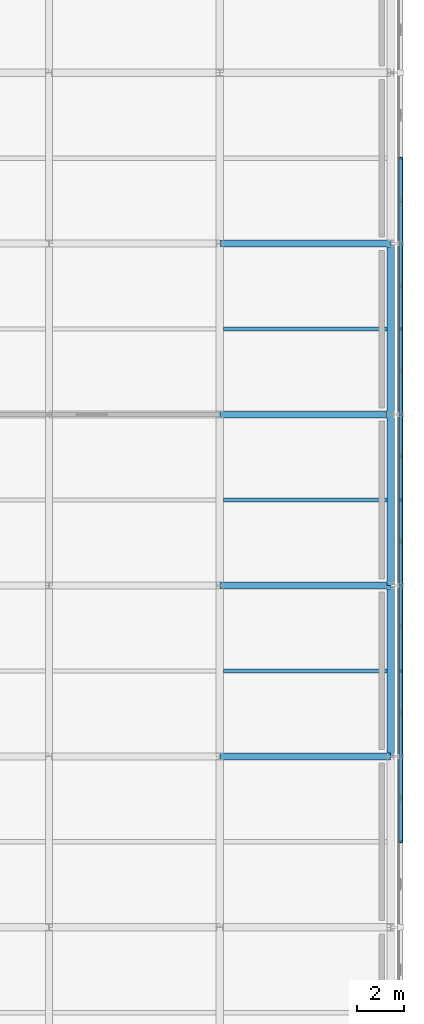
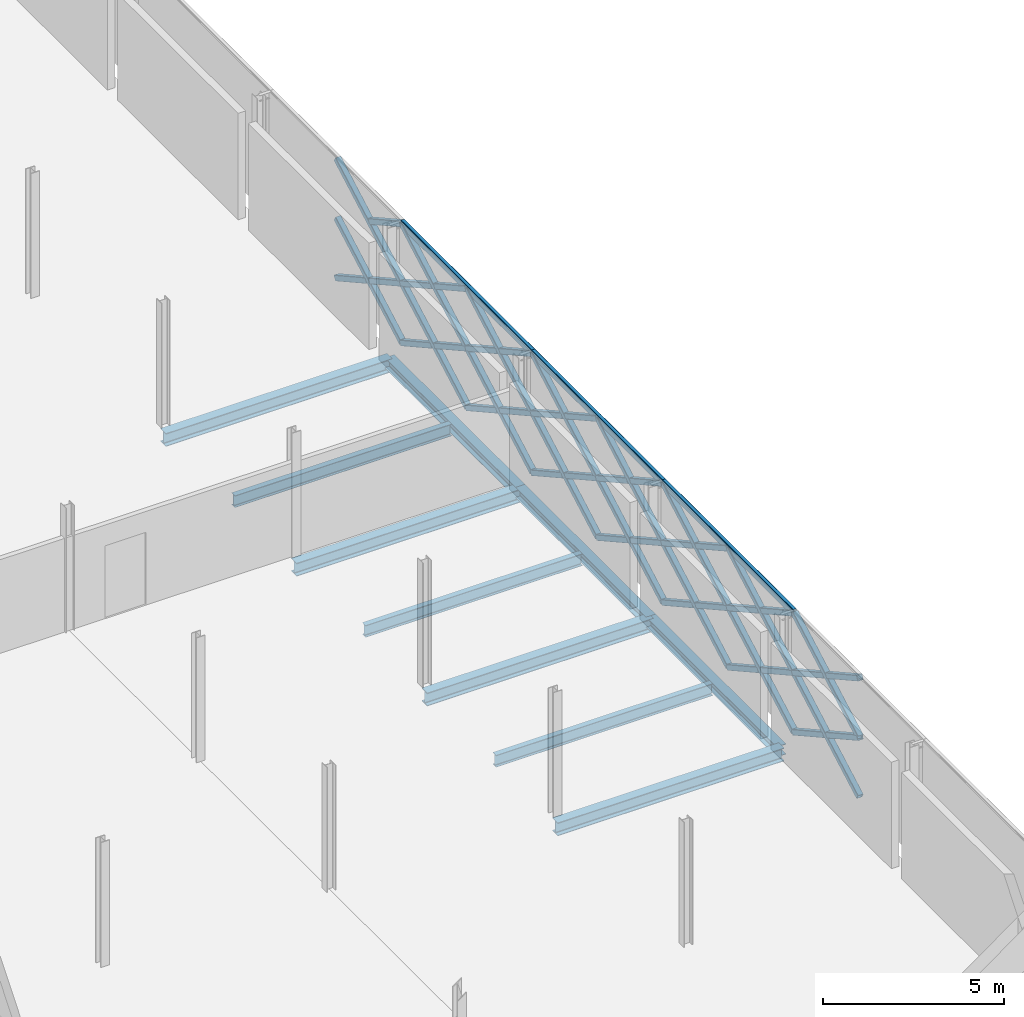
# One storey, part 72 of 146: 50 members, 10 beams.
"""IFC4 building model written with IfcOpenShell, lengths in metres."""

from ifc_helpers import new_model, si_unit, direction, frame, origin, origin_2d, place, context, subcontext, project, spatial, hollow_rectangle, i_section, extrude, material, material_profile, profile_set, type_object, element, save


model = new_model("IFC4")

# Units and contexts
model_context = context("Model", 3, precision=1e-05, world=origin(), true_north=direction((0.0, 1.0)))
body_context = subcontext(model_context, "Body", "Model", "MODEL_VIEW")
ifc_project = project(units=[si_unit("LENGTHUNIT", "METRE"), si_unit("AREAUNIT", "SQUARE_METRE"), si_unit("VOLUMEUNIT", "CUBIC_METRE"), si_unit("PLANEANGLEUNIT", "RADIAN"), si_unit("MASSUNIT", "GRAM", prefix="KILO")], contexts=[model_context])

# Site, building, storey
site_placement = place(None, origin())
site = spatial("IfcSite", under=ifc_project, at=site_placement, CompositionType="ELEMENT")
building_placement = place(site_placement, origin())
building = spatial("IfcBuilding", under=site, at=building_placement, Name="Zlatovets Crest Museum", CompositionType="ELEMENT")
storey_placement = place(building_placement, frame((0.0, 0.0, 4.5)))
storey = spatial("IfcBuildingStorey", under=building, at=storey_placement, Name="L01", CompositionType="ELEMENT", Elevation=4.5)

# Beams
ifc_material_1 = material(Name="Structural steel S355J2", Category="steel")
ifc_material_profile_1 = material_profile(ifc_material_1, i_section(OverallWidth=0.300048828125, OverallDepth=0.35009765625, WebThickness=0.010009765625, FlangeThickness=0.017578125, FilletRadius=0.027099609375, at=origin_2d()), Name="HEA 360")
ifc_profile_set_1 = profile_set([ifc_material_profile_1], Name="Structural steel S355J2")
beam_type_1 = type_object("IfcBeamType", Name="Beam_B-03", PredefinedType="BEAM", material=ifc_profile_set_1)
for number, where, z_axis, x_axis, name in (
    (1, (165.60009765625, 28.800048828125, -0.39501953125), (0.0, 1.0, 0.0), (-1.0, 0.0, 0.0), "V5 L01 Grid Beam B-03"),
    (2, (165.60009765625, 36.0, -0.39501953125), (0.0, 1.0, 0.0), (-1.0, 0.0, 0.0), "V5 L01 Grid Beam B-03"),
    (3, (165.60009765625, 43.199951171875, -0.39501953125), (0.0, 1.0, 0.0), (-1.0, 0.0, 0.0), "V5 L01 Grid Beam B-03"),
):
    element("IfcBeam", number, at=place(storey_placement, frame(where, z_axis=z_axis, x_axis=x_axis)), inside=storey, type_object=beam_type_1, Name=name, PredefinedType="BEAM", context=body_context, shape_type="SweptSolid", body=[
        extrude(i_section(OverallWidth=0.300048828125, OverallDepth=0.35009765625, WebThickness=0.010009765625, FlangeThickness=0.017578125, FilletRadius=0.027099609375, at=origin_2d()), origin(), (0.0, 0.0, 1.0), 7.199951171875),
    ])
ifc_material_profile_2 = material_profile(ifc_material_1, i_section(OverallWidth=0.300048828125, OverallDepth=0.43994140625, WebThickness=0.011474609375, FlangeThickness=0.02099609375, FilletRadius=0.027099609375, at=origin_2d()), Name="HEA 450")
ifc_profile_set_2 = profile_set([ifc_material_profile_2], Name="Structural steel S355J2")
beam_type_2 = type_object("IfcBeamType", Name="Beam_B-10", PredefinedType="BEAM", material=ifc_profile_set_2)
for number, where, z_axis, x_axis, name in (
    (4, (158.39990234375, 28.800048828125, -0.43994140625), (1.0, 0.0, 0.0), (0.0, 1.0, 0.0), "V5 L01 Primary Girder B-10"),
    (5, (158.39990234375, 36.0, -0.43994140625), (1.0, 0.0, 0.0), (0.0, 1.0, 0.0), "V5 L01 Primary Girder B-10"),
    (6, (158.39990234375, 43.199951171875, -0.43994140625), (1.0, 0.0, 0.0), (0.0, 1.0, 0.0), "V5 L01 Primary Girder B-10"),
    (7, (158.39990234375, 50.39990234375, -0.43994140625), (1.0, 0.0, 0.0), (0.0, 1.0, 0.0), "V5 L01 Primary Girder B-10"),
):
    element("IfcBeam", number, at=place(storey_placement, frame(where, z_axis=z_axis, x_axis=x_axis)), inside=storey, type_object=beam_type_2, Name=name, PredefinedType="BEAM", context=body_context, shape_type="SweptSolid", body=[
        extrude(i_section(OverallWidth=0.300048828125, OverallDepth=0.43994140625, WebThickness=0.011474609375, FlangeThickness=0.02099609375, FilletRadius=0.027099609375, at=origin_2d()), origin(), (0.0, 0.0, 1.0), 7.2001953125),
    ])
ifc_material_profile_3 = material_profile(ifc_material_1, i_section(OverallWidth=0.179931640625, OverallDepth=0.39990234375, WebThickness=0.008544921875, FlangeThickness=0.013427734375, FilletRadius=0.02099609375, at=origin_2d()), Name="IPE 400")
ifc_profile_set_3 = profile_set([ifc_material_profile_3], Name="Structural steel S355J2")
beam_type_3 = type_object("IfcBeamType", Name="Beam_J-04", PredefinedType="JOIST", material=ifc_profile_set_3)
for number, where, z_axis, x_axis, name in (
    (8, (158.550048828125, 32.39990234375, -0.419921875), (1.0, 0.0, 0.0), (0.0, 1.0, 0.0), "V5 L01 Composite Joist J-04"),
    (9, (158.550048828125, 39.60009765625, -0.419921875), (1.0, 0.0, 0.0), (0.0, 1.0, 0.0), "V5 L01 Composite Joist J-04"),
    (10, (158.550048828125, 46.800048828125, -0.419921875), (1.0, 0.0, 0.0), (0.0, 1.0, 0.0), "V5 L01 Composite Joist J-04"),
):
    element("IfcBeam", number, at=place(storey_placement, frame(where, z_axis=z_axis, x_axis=x_axis)), inside=storey, type_object=beam_type_3, Name=name, PredefinedType="JOIST", context=body_context, shape_type="SweptSolid", body=[
        extrude(i_section(OverallWidth=0.179931640625, OverallDepth=0.39990234375, WebThickness=0.008544921875, FlangeThickness=0.013427734375, FilletRadius=0.02099609375, at=origin_2d()), origin(), (0.0, 0.0, 1.0), 6.89990234375),
    ])

# Members
ifc_material_2 = material(Name="Weathering bronze-steel S355J2W", Category="steel")
ifc_material_profile_4 = material_profile(ifc_material_2, hollow_rectangle(XDim=0.179931640625, YDim=0.179931640625, WallThickness=0.010009765625, InnerFilletRadius=0.010009765625, OuterFilletRadius=0.02001953125, at=origin_2d()), Name="SHS 180x180x10.0")
ifc_profile_set_4 = profile_set([ifc_material_profile_4], Name="Weathering bronze-steel S355J2W")
member_type_1 = type_object("IfcMemberType", Name="Lattice_XL-01", PredefinedType="BRACE", material=ifc_profile_set_4)
member_1_placement = place(storey_placement, frame((166.02001953125, 25.199951171875, 0.10009765625), z_axis=(0.0, 0.874162868644, 0.485632864501), x_axis=(-1.0, 0.0, 0.0)))
element("IfcMember", 11, at=member_1_placement, inside=storey, type_object=member_type_1, Name="Continuous Bronze Lattice Diagonal", PredefinedType="BRACE", context=body_context, shape_type="SweptSolid", body=[
    extrude(hollow_rectangle(XDim=0.179931640625, YDim=0.179931640625, WallThickness=0.010009765625, InnerFilletRadius=0.010009765625, OuterFilletRadius=0.02001953125, at=origin_2d()), origin(), (0.0, 0.0, 1.0), 4.118408203125),
])
member_2_placement = place(storey_placement, frame((166.02001953125, 25.199951171875, 2.10009765625), z_axis=(0.0, 0.874116234569, -0.48571679862), x_axis=(-1.0, 0.0, 0.0)))
element("IfcMember", 12, at=member_2_placement, inside=storey, type_object=member_type_1, Name="Split Crossing Bronze Lattice Diagonal Upper", PredefinedType="BRACE", context=body_context, shape_type="SweptSolid", body=[
    extrude(hollow_rectangle(XDim=0.179931640625, YDim=0.179931640625, WallThickness=0.010009765625, InnerFilletRadius=0.010009765625, OuterFilletRadius=0.02001953125, at=origin_2d()), origin(), (0.0, 0.0, 1.0), 1.96435546875),
])
member_3_placement = place(storey_placement, frame((166.02001953125, 27.0830078125, 1.053955078125), z_axis=(0.0, 0.874169001841, -0.485621824284), x_axis=(-1.0, 0.0, 0.0)))
element("IfcMember", 13, at=member_3_placement, inside=storey, type_object=member_type_1, Name="Split Crossing Bronze Lattice Diagonal Lower", PredefinedType="BRACE", context=body_context, shape_type="SweptSolid", body=[
    extrude(hollow_rectangle(XDim=0.179931640625, YDim=0.179931640625, WallThickness=0.010009765625, InnerFilletRadius=0.010009765625, OuterFilletRadius=0.02001953125, at=origin_2d()), origin(), (0.0, 0.0, 1.0), 1.964111328125),
])
member_4_placement = place(storey_placement, frame((166.02001953125, 25.199951171875, 2.10009765625), z_axis=(0.0, 0.874162868644, 0.485632864501), x_axis=(-1.0, 0.0, 0.0)))
element("IfcMember", 14, at=member_4_placement, inside=storey, type_object=member_type_1, Name="Continuous Bronze Lattice Diagonal", PredefinedType="BRACE", context=body_context, shape_type="SweptSolid", body=[
    extrude(hollow_rectangle(XDim=0.179931640625, YDim=0.179931640625, WallThickness=0.010009765625, InnerFilletRadius=0.010009765625, OuterFilletRadius=0.02001953125, at=origin_2d()), origin(), (0.0, 0.0, 1.0), 4.118408203125),
])
member_5_placement = place(storey_placement, frame((166.02001953125, 25.199951171875, 4.10009765625), z_axis=(0.0, 0.874116234569, -0.48571679862), x_axis=(-1.0, 0.0, 0.0)))
element("IfcMember", 15, at=member_5_placement, inside=storey, type_object=member_type_1, Name="Split Crossing Bronze Lattice Diagonal Upper", PredefinedType="BRACE", context=body_context, shape_type="SweptSolid", body=[
    extrude(hollow_rectangle(XDim=0.179931640625, YDim=0.179931640625, WallThickness=0.010009765625, InnerFilletRadius=0.010009765625, OuterFilletRadius=0.02001953125, at=origin_2d()), origin(), (0.0, 0.0, 1.0), 1.96435546875),
])
member_6_placement = place(storey_placement, frame((166.02001953125, 27.0830078125, 3.053955078125), z_axis=(0.0, 0.874169001841, -0.485621824284), x_axis=(-1.0, 0.0, 0.0)))
element("IfcMember", 16, at=member_6_placement, inside=storey, type_object=member_type_1, Name="Split Crossing Bronze Lattice Diagonal Lower", PredefinedType="BRACE", context=body_context, shape_type="SweptSolid", body=[
    extrude(hollow_rectangle(XDim=0.179931640625, YDim=0.179931640625, WallThickness=0.010009765625, InnerFilletRadius=0.010009765625, OuterFilletRadius=0.02001953125, at=origin_2d()), origin(), (0.0, 0.0, 1.0), 1.964111328125),
])
member_7_placement = place(storey_placement, frame((166.02001953125, 28.800048828125, 0.10009765625), z_axis=(0.0, 0.874148886685, 0.485658031857), x_axis=(-1.0, 0.0, 0.0)))
element("IfcMember", 17, at=member_7_placement, inside=storey, type_object=member_type_1, Name="Continuous Bronze Lattice Diagonal", PredefinedType="BRACE", context=body_context, shape_type="SweptSolid", body=[
    extrude(hollow_rectangle(XDim=0.179931640625, YDim=0.179931640625, WallThickness=0.010009765625, InnerFilletRadius=0.010009765625, OuterFilletRadius=0.02001953125, at=origin_2d()), origin(), (0.0, 0.0, 1.0), 4.1181640625),
])
member_8_placement = place(storey_placement, frame((166.02001953125, 28.800048828125, 2.10009765625), z_axis=(0.0, 0.874116234569, -0.48571679862), x_axis=(-1.0, 0.0, 0.0)))
element("IfcMember", 18, at=member_8_placement, inside=storey, type_object=member_type_1, Name="Split Crossing Bronze Lattice Diagonal Upper", PredefinedType="BRACE", context=body_context, shape_type="SweptSolid", body=[
    extrude(hollow_rectangle(XDim=0.179931640625, YDim=0.179931640625, WallThickness=0.010009765625, InnerFilletRadius=0.010009765625, OuterFilletRadius=0.02001953125, at=origin_2d()), origin(), (0.0, 0.0, 1.0), 1.96435546875),
])
member_9_placement = place(storey_placement, frame((166.02001953125, 30.68310546875, 1.053955078125), z_axis=(0.0, 0.874139684676, -0.48567459443), x_axis=(-1.0, 0.0, 0.0)))
element("IfcMember", 19, at=member_9_placement, inside=storey, type_object=member_type_1, Name="Split Crossing Bronze Lattice Diagonal Lower", PredefinedType="BRACE", context=body_context, shape_type="SweptSolid", body=[
    extrude(hollow_rectangle(XDim=0.179931640625, YDim=0.179931640625, WallThickness=0.010009765625, InnerFilletRadius=0.010009765625, OuterFilletRadius=0.02001953125, at=origin_2d()), origin(), (0.0, 0.0, 1.0), 1.9638671875),
])
member_10_placement = place(storey_placement, frame((166.02001953125, 32.39990234375, 0.10009765625), z_axis=(0.0, 0.874162868644, 0.485632864501), x_axis=(-1.0, 0.0, 0.0)))
element("IfcMember", 20, at=member_10_placement, inside=storey, type_object=member_type_1, Name="Continuous Bronze Lattice Diagonal", PredefinedType="BRACE", context=body_context, shape_type="SweptSolid", body=[
    extrude(hollow_rectangle(XDim=0.179931640625, YDim=0.179931640625, WallThickness=0.010009765625, InnerFilletRadius=0.010009765625, OuterFilletRadius=0.02001953125, at=origin_2d()), origin(), (0.0, 0.0, 1.0), 4.118408203125),
])
member_11_placement = place(storey_placement, frame((166.02001953125, 32.39990234375, 2.10009765625), z_axis=(0.0, 0.874116234569, -0.48571679862), x_axis=(-1.0, 0.0, 0.0)))
element("IfcMember", 21, at=member_11_placement, inside=storey, type_object=member_type_1, Name="Split Crossing Bronze Lattice Diagonal Upper", PredefinedType="BRACE", context=body_context, shape_type="SweptSolid", body=[
    extrude(hollow_rectangle(XDim=0.179931640625, YDim=0.179931640625, WallThickness=0.010009765625, InnerFilletRadius=0.010009765625, OuterFilletRadius=0.02001953125, at=origin_2d()), origin(), (0.0, 0.0, 1.0), 1.96435546875),
])
member_12_placement = place(storey_placement, frame((166.02001953125, 34.282958984375, 1.053955078125), z_axis=(0.0, 0.874169001841, -0.485621824284), x_axis=(-1.0, 0.0, 0.0)))
element("IfcMember", 22, at=member_12_placement, inside=storey, type_object=member_type_1, Name="Split Crossing Bronze Lattice Diagonal Lower", PredefinedType="BRACE", context=body_context, shape_type="SweptSolid", body=[
    extrude(hollow_rectangle(XDim=0.179931640625, YDim=0.179931640625, WallThickness=0.010009765625, InnerFilletRadius=0.010009765625, OuterFilletRadius=0.02001953125, at=origin_2d()), origin(), (0.0, 0.0, 1.0), 1.964111328125),
])
member_13_placement = place(storey_placement, frame((166.02001953125, 28.800048828125, 2.10009765625), z_axis=(0.0, 0.874148886685, 0.485658031857), x_axis=(-1.0, 0.0, 0.0)))
element("IfcMember", 23, at=member_13_placement, inside=storey, type_object=member_type_1, Name="Continuous Bronze Lattice Diagonal", PredefinedType="BRACE", context=body_context, shape_type="SweptSolid", body=[
    extrude(hollow_rectangle(XDim=0.179931640625, YDim=0.179931640625, WallThickness=0.010009765625, InnerFilletRadius=0.010009765625, OuterFilletRadius=0.02001953125, at=origin_2d()), origin(), (0.0, 0.0, 1.0), 4.1181640625),
])
member_14_placement = place(storey_placement, frame((166.02001953125, 28.800048828125, 4.10009765625), z_axis=(0.0, 0.874116234569, -0.48571679862), x_axis=(-1.0, 0.0, 0.0)))
element("IfcMember", 24, at=member_14_placement, inside=storey, type_object=member_type_1, Name="Split Crossing Bronze Lattice Diagonal Upper", PredefinedType="BRACE", context=body_context, shape_type="SweptSolid", body=[
    extrude(hollow_rectangle(XDim=0.179931640625, YDim=0.179931640625, WallThickness=0.010009765625, InnerFilletRadius=0.010009765625, OuterFilletRadius=0.02001953125, at=origin_2d()), origin(), (0.0, 0.0, 1.0), 1.96435546875),
])
member_15_placement = place(storey_placement, frame((166.02001953125, 30.68310546875, 3.053955078125), z_axis=(0.0, 0.874139684676, -0.48567459443), x_axis=(-1.0, 0.0, 0.0)))
element("IfcMember", 25, at=member_15_placement, inside=storey, type_object=member_type_1, Name="Split Crossing Bronze Lattice Diagonal Lower", PredefinedType="BRACE", context=body_context, shape_type="SweptSolid", body=[
    extrude(hollow_rectangle(XDim=0.179931640625, YDim=0.179931640625, WallThickness=0.010009765625, InnerFilletRadius=0.010009765625, OuterFilletRadius=0.02001953125, at=origin_2d()), origin(), (0.0, 0.0, 1.0), 1.9638671875),
])
member_16_placement = place(storey_placement, frame((166.02001953125, 32.39990234375, 2.10009765625), z_axis=(0.0, 0.874162868644, 0.485632864501), x_axis=(-1.0, 0.0, 0.0)))
element("IfcMember", 26, at=member_16_placement, inside=storey, type_object=member_type_1, Name="Continuous Bronze Lattice Diagonal", PredefinedType="BRACE", context=body_context, shape_type="SweptSolid", body=[
    extrude(hollow_rectangle(XDim=0.179931640625, YDim=0.179931640625, WallThickness=0.010009765625, InnerFilletRadius=0.010009765625, OuterFilletRadius=0.02001953125, at=origin_2d()), origin(), (0.0, 0.0, 1.0), 4.118408203125),
])
member_17_placement = place(storey_placement, frame((166.02001953125, 32.39990234375, 4.10009765625), z_axis=(0.0, 0.874116234569, -0.48571679862), x_axis=(-1.0, 0.0, 0.0)))
element("IfcMember", 27, at=member_17_placement, inside=storey, type_object=member_type_1, Name="Split Crossing Bronze Lattice Diagonal Upper", PredefinedType="BRACE", context=body_context, shape_type="SweptSolid", body=[
    extrude(hollow_rectangle(XDim=0.179931640625, YDim=0.179931640625, WallThickness=0.010009765625, InnerFilletRadius=0.010009765625, OuterFilletRadius=0.02001953125, at=origin_2d()), origin(), (0.0, 0.0, 1.0), 1.96435546875),
])
member_18_placement = place(storey_placement, frame((166.02001953125, 34.282958984375, 3.053955078125), z_axis=(0.0, 0.874169001841, -0.485621824284), x_axis=(-1.0, 0.0, 0.0)))
element("IfcMember", 28, at=member_18_placement, inside=storey, type_object=member_type_1, Name="Split Crossing Bronze Lattice Diagonal Lower", PredefinedType="BRACE", context=body_context, shape_type="SweptSolid", body=[
    extrude(hollow_rectangle(XDim=0.179931640625, YDim=0.179931640625, WallThickness=0.010009765625, InnerFilletRadius=0.010009765625, OuterFilletRadius=0.02001953125, at=origin_2d()), origin(), (0.0, 0.0, 1.0), 1.964111328125),
])
member_19_placement = place(storey_placement, frame((166.02001953125, 36.0, 0.10009765625), z_axis=(0.0, 0.874162868644, 0.485632864501), x_axis=(-1.0, 0.0, 0.0)))
element("IfcMember", 29, at=member_19_placement, inside=storey, type_object=member_type_1, Name="Continuous Bronze Lattice Diagonal", PredefinedType="BRACE", context=body_context, shape_type="SweptSolid", body=[
    extrude(hollow_rectangle(XDim=0.179931640625, YDim=0.179931640625, WallThickness=0.010009765625, InnerFilletRadius=0.010009765625, OuterFilletRadius=0.02001953125, at=origin_2d()), origin(), (0.0, 0.0, 1.0), 4.118408203125),
])
member_20_placement = place(storey_placement, frame((166.02001953125, 36.0, 2.10009765625), z_axis=(0.0, 0.874116234569, -0.48571679862), x_axis=(-1.0, 0.0, 0.0)))
element("IfcMember", 30, at=member_20_placement, inside=storey, type_object=member_type_1, Name="Split Crossing Bronze Lattice Diagonal Upper", PredefinedType="BRACE", context=body_context, shape_type="SweptSolid", body=[
    extrude(hollow_rectangle(XDim=0.179931640625, YDim=0.179931640625, WallThickness=0.010009765625, InnerFilletRadius=0.010009765625, OuterFilletRadius=0.02001953125, at=origin_2d()), origin(), (0.0, 0.0, 1.0), 1.96435546875),
])
member_21_placement = place(storey_placement, frame((166.02001953125, 37.883056640625, 1.053955078125), z_axis=(0.0, 0.874169001841, -0.485621824284), x_axis=(-1.0, 0.0, 0.0)))
element("IfcMember", 31, at=member_21_placement, inside=storey, type_object=member_type_1, Name="Split Crossing Bronze Lattice Diagonal Lower", PredefinedType="BRACE", context=body_context, shape_type="SweptSolid", body=[
    extrude(hollow_rectangle(XDim=0.179931640625, YDim=0.179931640625, WallThickness=0.010009765625, InnerFilletRadius=0.010009765625, OuterFilletRadius=0.02001953125, at=origin_2d()), origin(), (0.0, 0.0, 1.0), 1.964111328125),
])
member_22_placement = place(storey_placement, frame((166.02001953125, 39.60009765625, 0.10009765625), z_axis=(0.0, 0.874148886685, 0.485658031857), x_axis=(-1.0, 0.0, 0.0)))
element("IfcMember", 32, at=member_22_placement, inside=storey, type_object=member_type_1, Name="Continuous Bronze Lattice Diagonal", PredefinedType="BRACE", context=body_context, shape_type="SweptSolid", body=[
    extrude(hollow_rectangle(XDim=0.179931640625, YDim=0.179931640625, WallThickness=0.010009765625, InnerFilletRadius=0.010009765625, OuterFilletRadius=0.02001953125, at=origin_2d()), origin(), (0.0, 0.0, 1.0), 4.1181640625),
])
for number, where, z_axis, x_axis, name in (
    (33, (166.02001953125, 39.60009765625, 2.10009765625), (0.0, 0.874086907708, -0.485769572713), (-1.0, 0.0, 0.0), "Split Crossing Bronze Lattice Diagonal Upper"),
    (34, (166.02001953125, 41.48291015625, 1.053955078125), (0.0, 0.874169001841, -0.485621824284), (-1.0, 0.0, 0.0), "Split Crossing Bronze Lattice Diagonal Lower"),
):
    element("IfcMember", number, at=place(storey_placement, frame(where, z_axis=z_axis, x_axis=x_axis)), inside=storey, type_object=member_type_1, Name=name, PredefinedType="BRACE", context=body_context, shape_type="SweptSolid", body=[
        extrude(hollow_rectangle(XDim=0.179931640625, YDim=0.179931640625, WallThickness=0.010009765625, InnerFilletRadius=0.010009765625, OuterFilletRadius=0.02001953125, at=origin_2d()), origin(), (0.0, 0.0, 1.0), 1.964111328125),
    ])
member_23_placement = place(storey_placement, frame((166.02001953125, 36.0, 2.10009765625), z_axis=(0.0, 0.874162868644, 0.485632864501), x_axis=(-1.0, 0.0, 0.0)))
element("IfcMember", 35, at=member_23_placement, inside=storey, type_object=member_type_1, Name="Continuous Bronze Lattice Diagonal", PredefinedType="BRACE", context=body_context, shape_type="SweptSolid", body=[
    extrude(hollow_rectangle(XDim=0.179931640625, YDim=0.179931640625, WallThickness=0.010009765625, InnerFilletRadius=0.010009765625, OuterFilletRadius=0.02001953125, at=origin_2d()), origin(), (0.0, 0.0, 1.0), 4.118408203125),
])
member_24_placement = place(storey_placement, frame((166.02001953125, 36.0, 4.10009765625), z_axis=(0.0, 0.874116234569, -0.48571679862), x_axis=(-1.0, 0.0, 0.0)))
element("IfcMember", 36, at=member_24_placement, inside=storey, type_object=member_type_1, Name="Split Crossing Bronze Lattice Diagonal Upper", PredefinedType="BRACE", context=body_context, shape_type="SweptSolid", body=[
    extrude(hollow_rectangle(XDim=0.179931640625, YDim=0.179931640625, WallThickness=0.010009765625, InnerFilletRadius=0.010009765625, OuterFilletRadius=0.02001953125, at=origin_2d()), origin(), (0.0, 0.0, 1.0), 1.96435546875),
])
member_25_placement = place(storey_placement, frame((166.02001953125, 37.883056640625, 3.053955078125), z_axis=(0.0, 0.874169001841, -0.485621824284), x_axis=(-1.0, 0.0, 0.0)))
element("IfcMember", 37, at=member_25_placement, inside=storey, type_object=member_type_1, Name="Split Crossing Bronze Lattice Diagonal Lower", PredefinedType="BRACE", context=body_context, shape_type="SweptSolid", body=[
    extrude(hollow_rectangle(XDim=0.179931640625, YDim=0.179931640625, WallThickness=0.010009765625, InnerFilletRadius=0.010009765625, OuterFilletRadius=0.02001953125, at=origin_2d()), origin(), (0.0, 0.0, 1.0), 1.964111328125),
])
member_26_placement = place(storey_placement, frame((166.02001953125, 39.60009765625, 2.10009765625), z_axis=(0.0, 0.874148886685, 0.485658031857), x_axis=(-1.0, 0.0, 0.0)))
element("IfcMember", 38, at=member_26_placement, inside=storey, type_object=member_type_1, Name="Continuous Bronze Lattice Diagonal", PredefinedType="BRACE", context=body_context, shape_type="SweptSolid", body=[
    extrude(hollow_rectangle(XDim=0.179931640625, YDim=0.179931640625, WallThickness=0.010009765625, InnerFilletRadius=0.010009765625, OuterFilletRadius=0.02001953125, at=origin_2d()), origin(), (0.0, 0.0, 1.0), 4.1181640625),
])
for number, where, z_axis, x_axis, name in (
    (39, (166.02001953125, 39.60009765625, 4.10009765625), (0.0, 0.874086907708, -0.485769572713), (-1.0, 0.0, 0.0), "Split Crossing Bronze Lattice Diagonal Upper"),
    (40, (166.02001953125, 41.48291015625, 3.053955078125), (0.0, 0.874169001841, -0.485621824284), (-1.0, 0.0, 0.0), "Split Crossing Bronze Lattice Diagonal Lower"),
):
    element("IfcMember", number, at=place(storey_placement, frame(where, z_axis=z_axis, x_axis=x_axis)), inside=storey, type_object=member_type_1, Name=name, PredefinedType="BRACE", context=body_context, shape_type="SweptSolid", body=[
        extrude(hollow_rectangle(XDim=0.179931640625, YDim=0.179931640625, WallThickness=0.010009765625, InnerFilletRadius=0.010009765625, OuterFilletRadius=0.02001953125, at=origin_2d()), origin(), (0.0, 0.0, 1.0), 1.964111328125),
    ])
member_27_placement = place(storey_placement, frame((166.02001953125, 43.199951171875, 0.10009765625), z_axis=(0.0, 0.874162868644, 0.485632864501), x_axis=(-1.0, 0.0, 0.0)))
element("IfcMember", 41, at=member_27_placement, inside=storey, type_object=member_type_1, Name="Continuous Bronze Lattice Diagonal", PredefinedType="BRACE", context=body_context, shape_type="SweptSolid", body=[
    extrude(hollow_rectangle(XDim=0.179931640625, YDim=0.179931640625, WallThickness=0.010009765625, InnerFilletRadius=0.010009765625, OuterFilletRadius=0.02001953125, at=origin_2d()), origin(), (0.0, 0.0, 1.0), 4.118408203125),
])
member_28_placement = place(storey_placement, frame((166.02001953125, 43.199951171875, 2.10009765625), z_axis=(0.0, 0.874116234569, -0.48571679862), x_axis=(-1.0, 0.0, 0.0)))
element("IfcMember", 42, at=member_28_placement, inside=storey, type_object=member_type_1, Name="Split Crossing Bronze Lattice Diagonal Upper", PredefinedType="BRACE", context=body_context, shape_type="SweptSolid", body=[
    extrude(hollow_rectangle(XDim=0.179931640625, YDim=0.179931640625, WallThickness=0.010009765625, InnerFilletRadius=0.010009765625, OuterFilletRadius=0.02001953125, at=origin_2d()), origin(), (0.0, 0.0, 1.0), 1.96435546875),
])
member_29_placement = place(storey_placement, frame((166.02001953125, 45.0830078125, 1.053955078125), z_axis=(0.0, 0.874169001841, -0.485621824284), x_axis=(-1.0, 0.0, 0.0)))
element("IfcMember", 43, at=member_29_placement, inside=storey, type_object=member_type_1, Name="Split Crossing Bronze Lattice Diagonal Lower", PredefinedType="BRACE", context=body_context, shape_type="SweptSolid", body=[
    extrude(hollow_rectangle(XDim=0.179931640625, YDim=0.179931640625, WallThickness=0.010009765625, InnerFilletRadius=0.010009765625, OuterFilletRadius=0.02001953125, at=origin_2d()), origin(), (0.0, 0.0, 1.0), 1.964111328125),
])
member_30_placement = place(storey_placement, frame((166.02001953125, 46.800048828125, 0.10009765625), z_axis=(0.0, 0.874148886685, 0.485658031857), x_axis=(-1.0, 0.0, 0.0)))
element("IfcMember", 44, at=member_30_placement, inside=storey, type_object=member_type_1, Name="Continuous Bronze Lattice Diagonal", PredefinedType="BRACE", context=body_context, shape_type="SweptSolid", body=[
    extrude(hollow_rectangle(XDim=0.179931640625, YDim=0.179931640625, WallThickness=0.010009765625, InnerFilletRadius=0.010009765625, OuterFilletRadius=0.02001953125, at=origin_2d()), origin(), (0.0, 0.0, 1.0), 4.1181640625),
])
member_31_placement = place(storey_placement, frame((166.02001953125, 46.800048828125, 2.10009765625), z_axis=(0.0, 0.874116234569, -0.48571679862), x_axis=(-1.0, 0.0, 0.0)))
element("IfcMember", 45, at=member_31_placement, inside=storey, type_object=member_type_1, Name="Split Crossing Bronze Lattice Diagonal Upper", PredefinedType="BRACE", context=body_context, shape_type="SweptSolid", body=[
    extrude(hollow_rectangle(XDim=0.179931640625, YDim=0.179931640625, WallThickness=0.010009765625, InnerFilletRadius=0.010009765625, OuterFilletRadius=0.02001953125, at=origin_2d()), origin(), (0.0, 0.0, 1.0), 1.96435546875),
])
member_32_placement = place(storey_placement, frame((166.02001953125, 48.68310546875, 1.053955078125), z_axis=(0.0, 0.874139684676, -0.48567459443), x_axis=(-1.0, 0.0, 0.0)))
element("IfcMember", 46, at=member_32_placement, inside=storey, type_object=member_type_1, Name="Split Crossing Bronze Lattice Diagonal Lower", PredefinedType="BRACE", context=body_context, shape_type="SweptSolid", body=[
    extrude(hollow_rectangle(XDim=0.179931640625, YDim=0.179931640625, WallThickness=0.010009765625, InnerFilletRadius=0.010009765625, OuterFilletRadius=0.02001953125, at=origin_2d()), origin(), (0.0, 0.0, 1.0), 1.9638671875),
])
member_33_placement = place(storey_placement, frame((166.02001953125, 43.199951171875, 2.10009765625), z_axis=(0.0, 0.874162868644, 0.485632864501), x_axis=(-1.0, 0.0, 0.0)))
element("IfcMember", 47, at=member_33_placement, inside=storey, type_object=member_type_1, Name="Continuous Bronze Lattice Diagonal", PredefinedType="BRACE", context=body_context, shape_type="SweptSolid", body=[
    extrude(hollow_rectangle(XDim=0.179931640625, YDim=0.179931640625, WallThickness=0.010009765625, InnerFilletRadius=0.010009765625, OuterFilletRadius=0.02001953125, at=origin_2d()), origin(), (0.0, 0.0, 1.0), 4.118408203125),
])
member_34_placement = place(storey_placement, frame((166.02001953125, 43.199951171875, 4.10009765625), z_axis=(0.0, 0.874116234569, -0.48571679862), x_axis=(-1.0, 0.0, 0.0)))
element("IfcMember", 48, at=member_34_placement, inside=storey, type_object=member_type_1, Name="Split Crossing Bronze Lattice Diagonal Upper", PredefinedType="BRACE", context=body_context, shape_type="SweptSolid", body=[
    extrude(hollow_rectangle(XDim=0.179931640625, YDim=0.179931640625, WallThickness=0.010009765625, InnerFilletRadius=0.010009765625, OuterFilletRadius=0.02001953125, at=origin_2d()), origin(), (0.0, 0.0, 1.0), 1.96435546875),
])
member_35_placement = place(storey_placement, frame((166.02001953125, 45.0830078125, 3.053955078125), z_axis=(0.0, 0.874169001841, -0.485621824284), x_axis=(-1.0, 0.0, 0.0)))
element("IfcMember", 49, at=member_35_placement, inside=storey, type_object=member_type_1, Name="Split Crossing Bronze Lattice Diagonal Lower", PredefinedType="BRACE", context=body_context, shape_type="SweptSolid", body=[
    extrude(hollow_rectangle(XDim=0.179931640625, YDim=0.179931640625, WallThickness=0.010009765625, InnerFilletRadius=0.010009765625, OuterFilletRadius=0.02001953125, at=origin_2d()), origin(), (0.0, 0.0, 1.0), 1.964111328125),
])
member_36_placement = place(storey_placement, frame((166.02001953125, 46.800048828125, 2.10009765625), z_axis=(0.0, 0.874148886685, 0.485658031857), x_axis=(-1.0, 0.0, 0.0)))
element("IfcMember", 50, at=member_36_placement, inside=storey, type_object=member_type_1, Name="Continuous Bronze Lattice Diagonal", PredefinedType="BRACE", context=body_context, shape_type="SweptSolid", body=[
    extrude(hollow_rectangle(XDim=0.179931640625, YDim=0.179931640625, WallThickness=0.010009765625, InnerFilletRadius=0.010009765625, OuterFilletRadius=0.02001953125, at=origin_2d()), origin(), (0.0, 0.0, 1.0), 4.1181640625),
])
member_37_placement = place(storey_placement, frame((166.02001953125, 46.800048828125, 4.10009765625), z_axis=(0.0, 0.874116234569, -0.48571679862), x_axis=(-1.0, 0.0, 0.0)))
element("IfcMember", 51, at=member_37_placement, inside=storey, type_object=member_type_1, Name="Split Crossing Bronze Lattice Diagonal Upper", PredefinedType="BRACE", context=body_context, shape_type="SweptSolid", body=[
    extrude(hollow_rectangle(XDim=0.179931640625, YDim=0.179931640625, WallThickness=0.010009765625, InnerFilletRadius=0.010009765625, OuterFilletRadius=0.02001953125, at=origin_2d()), origin(), (0.0, 0.0, 1.0), 1.96435546875),
])
member_38_placement = place(storey_placement, frame((166.02001953125, 48.68310546875, 3.053955078125), z_axis=(0.0, 0.874139684676, -0.48567459443), x_axis=(-1.0, 0.0, 0.0)))
element("IfcMember", 52, at=member_38_placement, inside=storey, type_object=member_type_1, Name="Split Crossing Bronze Lattice Diagonal Lower", PredefinedType="BRACE", context=body_context, shape_type="SweptSolid", body=[
    extrude(hollow_rectangle(XDim=0.179931640625, YDim=0.179931640625, WallThickness=0.010009765625, InnerFilletRadius=0.010009765625, OuterFilletRadius=0.02001953125, at=origin_2d()), origin(), (0.0, 0.0, 1.0), 1.9638671875),
])
member_39_placement = place(storey_placement, frame((166.02001953125, 50.39990234375, 0.10009765625), z_axis=(0.0, 0.874162868644, 0.485632864501), x_axis=(-1.0, 0.0, 0.0)))
element("IfcMember", 53, at=member_39_placement, inside=storey, type_object=member_type_1, Name="Continuous Bronze Lattice Diagonal", PredefinedType="BRACE", context=body_context, shape_type="SweptSolid", body=[
    extrude(hollow_rectangle(XDim=0.179931640625, YDim=0.179931640625, WallThickness=0.010009765625, InnerFilletRadius=0.010009765625, OuterFilletRadius=0.02001953125, at=origin_2d()), origin(), (0.0, 0.0, 1.0), 4.118408203125),
])
member_40_placement = place(storey_placement, frame((166.02001953125, 50.39990234375, 2.10009765625), z_axis=(0.0, 0.874116234569, -0.48571679862), x_axis=(-1.0, 0.0, 0.0)))
element("IfcMember", 54, at=member_40_placement, inside=storey, type_object=member_type_1, Name="Split Crossing Bronze Lattice Diagonal Upper", PredefinedType="BRACE", context=body_context, shape_type="SweptSolid", body=[
    extrude(hollow_rectangle(XDim=0.179931640625, YDim=0.179931640625, WallThickness=0.010009765625, InnerFilletRadius=0.010009765625, OuterFilletRadius=0.02001953125, at=origin_2d()), origin(), (0.0, 0.0, 1.0), 1.96435546875),
])
member_41_placement = place(storey_placement, frame((166.02001953125, 52.282958984375, 1.053955078125), z_axis=(0.0, 0.874169001841, -0.485621824284), x_axis=(-1.0, 0.0, 0.0)))
element("IfcMember", 55, at=member_41_placement, inside=storey, type_object=member_type_1, Name="Split Crossing Bronze Lattice Diagonal Lower", PredefinedType="BRACE", context=body_context, shape_type="SweptSolid", body=[
    extrude(hollow_rectangle(XDim=0.179931640625, YDim=0.179931640625, WallThickness=0.010009765625, InnerFilletRadius=0.010009765625, OuterFilletRadius=0.02001953125, at=origin_2d()), origin(), (0.0, 0.0, 1.0), 1.964111328125),
])
member_42_placement = place(storey_placement, frame((166.02001953125, 50.39990234375, 2.10009765625), z_axis=(0.0, 0.874162868644, 0.485632864501), x_axis=(-1.0, 0.0, 0.0)))
element("IfcMember", 56, at=member_42_placement, inside=storey, type_object=member_type_1, Name="Continuous Bronze Lattice Diagonal", PredefinedType="BRACE", context=body_context, shape_type="SweptSolid", body=[
    extrude(hollow_rectangle(XDim=0.179931640625, YDim=0.179931640625, WallThickness=0.010009765625, InnerFilletRadius=0.010009765625, OuterFilletRadius=0.02001953125, at=origin_2d()), origin(), (0.0, 0.0, 1.0), 4.118408203125),
])
member_43_placement = place(storey_placement, frame((166.02001953125, 50.39990234375, 4.10009765625), z_axis=(0.0, 0.874116234569, -0.48571679862), x_axis=(-1.0, 0.0, 0.0)))
element("IfcMember", 57, at=member_43_placement, inside=storey, type_object=member_type_1, Name="Split Crossing Bronze Lattice Diagonal Upper", PredefinedType="BRACE", context=body_context, shape_type="SweptSolid", body=[
    extrude(hollow_rectangle(XDim=0.179931640625, YDim=0.179931640625, WallThickness=0.010009765625, InnerFilletRadius=0.010009765625, OuterFilletRadius=0.02001953125, at=origin_2d()), origin(), (0.0, 0.0, 1.0), 1.96435546875),
])
ifc_material_profile_5 = material_profile(ifc_material_2, hollow_rectangle(XDim=0.1201171875, YDim=0.239990234375, WallThickness=0.010009765625, InnerFilletRadius=0.010009765625, OuterFilletRadius=0.02001953125, at=origin_2d()), Name="RHS 120x240x10.0")
ifc_profile_set_5 = profile_set([ifc_material_profile_5], Name="Weathering bronze-steel S355J2W")
member_type_2 = type_object("IfcMemberType", Name="Lattice_XL-04", PredefinedType="CHORD", material=ifc_profile_set_5)
for number, where, z_axis, x_axis, name in (
    (58, (166.02001953125, 28.800048828125, 4.10009765625), (0.0, 1.0, 0.0), (-1.0, 0.0, 0.0), "Art Nouveau Woven Cage Collector Ring Chord"),
    (59, (166.02001953125, 36.0, 4.10009765625), (0.0, 1.0, 0.0), (-1.0, 0.0, 0.0), "Art Nouveau Woven Cage Collector Ring Chord"),
    (60, (166.02001953125, 43.199951171875, 4.10009765625), (0.0, 1.0, 0.0), (-1.0, 0.0, 0.0), "Art Nouveau Woven Cage Collector Ring Chord"),
):
    element("IfcMember", number, at=place(storey_placement, frame(where, z_axis=z_axis, x_axis=x_axis)), inside=storey, type_object=member_type_2, Name=name, PredefinedType="CHORD", context=body_context, shape_type="SweptSolid", body=[
        extrude(hollow_rectangle(XDim=0.1201171875, YDim=0.239990234375, WallThickness=0.010009765625, InnerFilletRadius=0.010009765625, OuterFilletRadius=0.02001953125, at=origin_2d()), origin(), (0.0, 0.0, 1.0), 7.199951171875),
    ])

save(model, "model.ifc")
